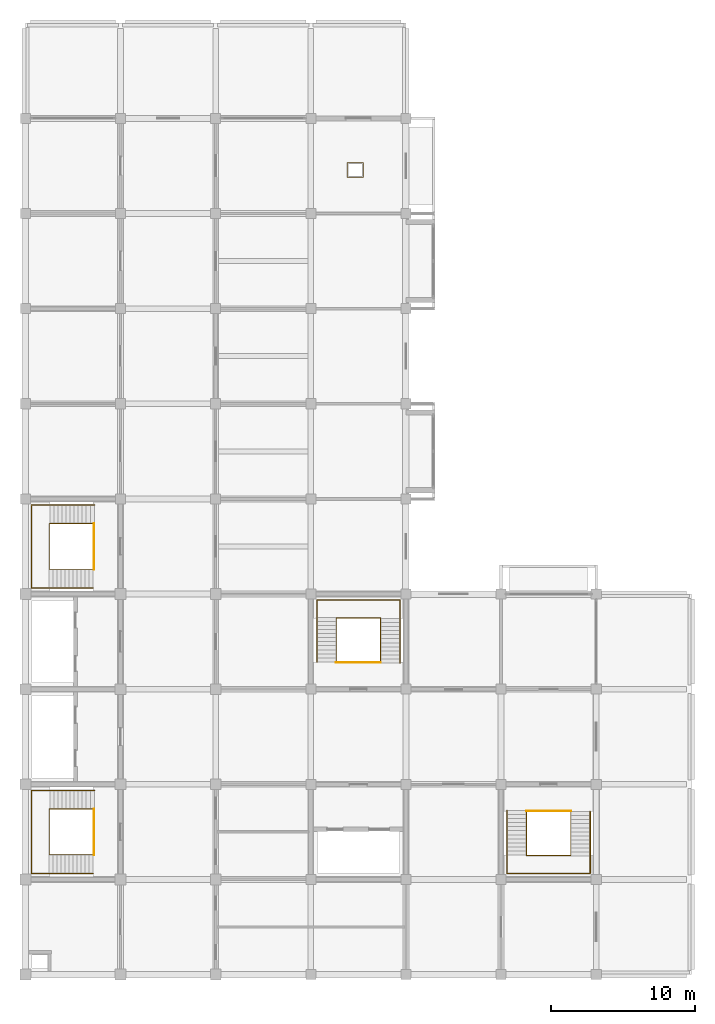
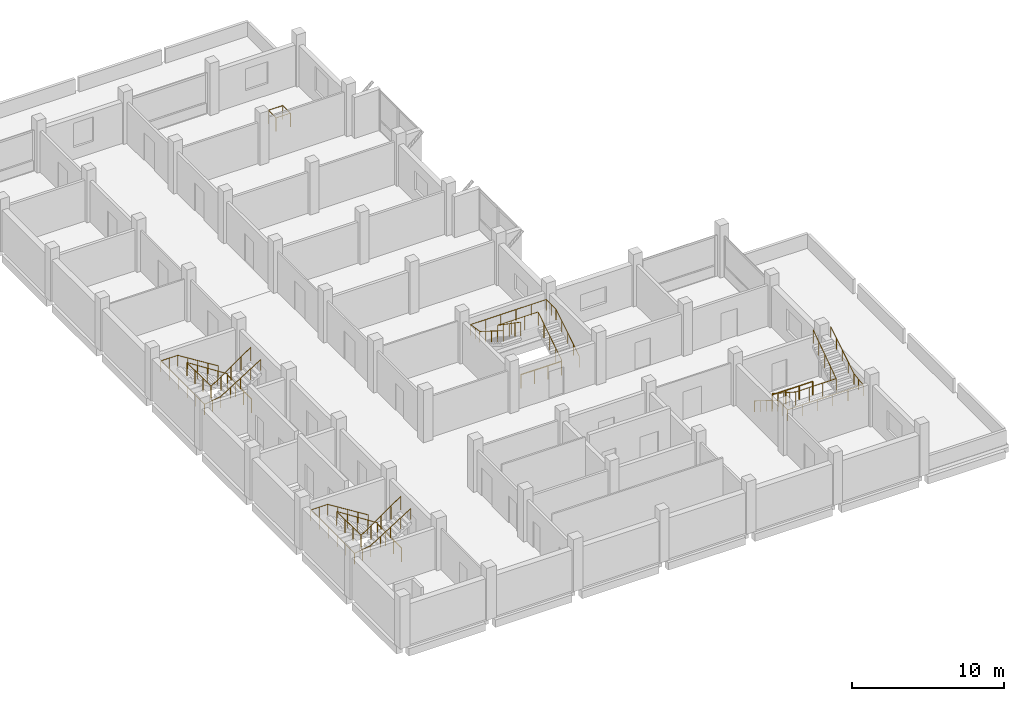
# One storey, part 10 of 10: 13 railings.
"""IFC4 building model written with IfcOpenShell, lengths in metres."""

from ifc_helpers import new_model, si_unit, direction, frame, origin, origin_2d, place, context, subcontext, project, spatial, circle, extrude, material, type_object, element, save


model = new_model("IFC4")

# Units and contexts
model_context = context("Model", 3, precision=1e-05, world=origin(), true_north=direction((0.0, 1.0)))
body_context = subcontext(model_context, "Body", "Model", "MODEL_VIEW")
ifc_project = project(units=[si_unit("LENGTHUNIT", "METRE"), si_unit("AREAUNIT", "SQUARE_METRE"), si_unit("VOLUMEUNIT", "CUBIC_METRE"), si_unit("PLANEANGLEUNIT", "RADIAN"), si_unit("MASSUNIT", "GRAM", prefix="KILO")], contexts=[model_context])

# Site, building, storey
site_placement = place(None, origin())
site = spatial("IfcSite", under=ifc_project, at=site_placement, CompositionType="ELEMENT")
building_placement = place(site_placement, origin())
building = spatial("IfcBuilding", under=site, at=building_placement, Name="Rusizi Kubbe Research Institute", CompositionType="ELEMENT")
storey_placement = place(building_placement, frame((0.0, 0.0, 43.800048828125)))
storey = spatial("IfcBuildingStorey", under=building, at=storey_placement, Name="L10", CompositionType="ELEMENT", Elevation=43.800048828125)

# Railings
ifc_material_1 = material(Name="Painted Steel Stair Guard", Category="steel")
railing_type_1 = type_object("IfcRailingType", Name="GR-STAIR", PredefinedType="GUARDRAIL", material=ifc_material_1)
railing_1_placement = place(storey_placement, frame((4.780029296875, 11.489990234375, 0.08740234375)))
element("IfcRailing", 1, at=railing_1_placement, inside=storey, type_object=railing_type_1, Name="Stair Inner Well Guard ST1 L10", PredefinedType="GUARDRAIL", context=body_context, shape_type="SweptSolid", body=[
    extrude(circle(Radius=0.02392578125, at=origin_2d()), frame((0.0, 0.0, 1.09619140625), z_axis=(-0.840361383606, 0.0, 0.542026516828), x_axis=(0.0, -1.0, 0.0)), (0.0, 0.0, 1.0), 3.712890625),
    extrude(circle(Radius=0.02392578125, at=origin_2d()), frame((-3.1201171875, 0.0, 3.1083984375), z_axis=(0.0, -1.0, 0.0), x_axis=(1.0, 0.0, 0.0)), (0.0, 0.0, 1.0), 3.179931640625),
    extrude(circle(Radius=0.02392578125, at=origin_2d()), frame((-3.1201171875, -3.179931640625, 3.1083984375), z_axis=(0.82276741766, 0.0, 0.568378198419), x_axis=(0.0, 1.0, 0.0)), (0.0, 0.0, 1.0), 3.69482421875),
    extrude(circle(Radius=0.02099609375, at=origin_2d()), origin(), (0.0, 0.0, 1.0), 1.072021484375),
    extrude(circle(Radius=0.02099609375, at=origin_2d()), frame((-0.780029296875, 0.0, 0.503173828125)), (0.0, 0.0, 1.0), 1.072021484375),
    extrude(circle(Radius=0.02099609375, at=origin_2d()), frame((-1.56005859375, 0.0, 1.00634765625)), (0.0, 0.0, 1.0), 1.072021484375),
    extrude(circle(Radius=0.02099609375, at=origin_2d()), frame((-2.340087890625, 0.0, 1.50927734375)), (0.0, 0.0, 1.0), 1.072021484375),
    extrude(circle(Radius=0.02099609375, at=origin_2d()), frame((-3.1201171875, 0.0, 2.012451171875)), (0.0, 0.0, 1.0), 1.072021484375),
    extrude(circle(Radius=0.02099609375, at=origin_2d()), frame((-3.1201171875, -1.06005859375, 2.012451171875)), (0.0, 0.0, 1.0), 1.072021484375),
    extrude(circle(Radius=0.02099609375, at=origin_2d()), frame((-3.1201171875, -2.119873046875, 2.012451171875)), (0.0, 0.0, 1.0), 1.072021484375),
    extrude(circle(Radius=0.02099609375, at=origin_2d()), frame((-3.1201171875, -3.179931640625, 2.012451171875)), (0.0, 0.0, 1.0), 1.072021484375),
    extrude(circle(Radius=0.02099609375, at=origin_2d()), frame((-2.360107421875, -3.179931640625, 2.53759765625)), (0.0, 0.0, 1.0), 1.072021484375),
    extrude(circle(Radius=0.02099609375, at=origin_2d()), frame((-1.60009765625, -3.179931640625, 3.0625)), (0.0, 0.0, 1.0), 1.072021484375),
    extrude(circle(Radius=0.02099609375, at=origin_2d()), frame((-0.840087890625, -3.179931640625, 3.58740234375)), (0.0, 0.0, 1.0), 1.072021484375),
    extrude(circle(Radius=0.02099609375, at=origin_2d()), frame((-0.080078125, -3.179931640625, 4.112548828125)), (0.0, 0.0, 1.0), 1.072021484375),
])
railing_2_placement = place(storey_placement, frame((4.75, 11.489990234375, 0.0)))
element("IfcRailing", 2, at=railing_2_placement, inside=storey, type_object=railing_type_1, Name="Stair Floor Edge Guard ST1 L10", PredefinedType="GUARDRAIL", context=body_context, shape_type="SweptSolid", body=[
    extrude(circle(Radius=0.02392578125, at=origin_2d()), frame((0.0, 0.0, 1.09619140625), z_axis=(0.0, -1.0, 0.0), x_axis=(1.0, 0.0, 0.0)), (0.0, 0.0, 1.0), 3.179931640625),
    extrude(circle(Radius=0.02099609375, at=origin_2d()), origin(), (0.0, 0.0, 1.0), 1.072021484375),
    extrude(circle(Radius=0.02099609375, at=origin_2d()), frame((0.0, -1.06005859375, 0.0)), (0.0, 0.0, 1.0), 1.072021484375),
    extrude(circle(Radius=0.02099609375, at=origin_2d()), frame((0.0, -2.119873046875, 0.0)), (0.0, 0.0, 1.0), 1.072021484375),
    extrude(circle(Radius=0.02099609375, at=origin_2d()), frame((0.0, -3.179931640625, 0.0)), (0.0, 0.0, 1.0), 1.072021484375),
])
railing_3_placement = place(storey_placement, frame((4.780029296875, 31.2900390625, 0.08740234375)))
element("IfcRailing", 3, at=railing_3_placement, inside=storey, type_object=railing_type_1, Name="Stair Inner Well Guard ST2 L10", PredefinedType="GUARDRAIL", context=body_context, shape_type="SweptSolid", body=[
    extrude(circle(Radius=0.02392578125, at=origin_2d()), frame((0.0, 0.0, 1.09619140625), z_axis=(-0.840361383606, 0.0, 0.542026516828), x_axis=(0.0, -1.0, 0.0)), (0.0, 0.0, 1.0), 3.712890625),
    extrude(circle(Radius=0.02392578125, at=origin_2d()), frame((-3.1201171875, 0.0, 3.1083984375), z_axis=(0.0, -1.0, 0.0), x_axis=(1.0, 0.0, 0.0)), (0.0, 0.0, 1.0), 3.179931640625),
    extrude(circle(Radius=0.02392578125, at=origin_2d()), frame((-3.1201171875, -3.179931640625, 3.1083984375), z_axis=(0.82276741766, 0.0, 0.568378198419), x_axis=(0.0, 1.0, 0.0)), (0.0, 0.0, 1.0), 3.69482421875),
    extrude(circle(Radius=0.02099609375, at=origin_2d()), origin(), (0.0, 0.0, 1.0), 1.072021484375),
    extrude(circle(Radius=0.02099609375, at=origin_2d()), frame((-0.780029296875, 0.0, 0.503173828125)), (0.0, 0.0, 1.0), 1.072021484375),
    extrude(circle(Radius=0.02099609375, at=origin_2d()), frame((-1.56005859375, 0.0, 1.00634765625)), (0.0, 0.0, 1.0), 1.072021484375),
    extrude(circle(Radius=0.02099609375, at=origin_2d()), frame((-2.340087890625, 0.0, 1.50927734375)), (0.0, 0.0, 1.0), 1.072021484375),
    extrude(circle(Radius=0.02099609375, at=origin_2d()), frame((-3.1201171875, 0.0, 2.012451171875)), (0.0, 0.0, 1.0), 1.072021484375),
    extrude(circle(Radius=0.02099609375, at=origin_2d()), frame((-3.1201171875, -1.06005859375, 2.012451171875)), (0.0, 0.0, 1.0), 1.072021484375),
    extrude(circle(Radius=0.02099609375, at=origin_2d()), frame((-3.1201171875, -2.119873046875, 2.012451171875)), (0.0, 0.0, 1.0), 1.072021484375),
    extrude(circle(Radius=0.02099609375, at=origin_2d()), frame((-3.1201171875, -3.179931640625, 2.012451171875)), (0.0, 0.0, 1.0), 1.072021484375),
    extrude(circle(Radius=0.02099609375, at=origin_2d()), frame((-2.360107421875, -3.179931640625, 2.53759765625)), (0.0, 0.0, 1.0), 1.072021484375),
    extrude(circle(Radius=0.02099609375, at=origin_2d()), frame((-1.60009765625, -3.179931640625, 3.0625)), (0.0, 0.0, 1.0), 1.072021484375),
    extrude(circle(Radius=0.02099609375, at=origin_2d()), frame((-0.840087890625, -3.179931640625, 3.58740234375)), (0.0, 0.0, 1.0), 1.072021484375),
    extrude(circle(Radius=0.02099609375, at=origin_2d()), frame((-0.080078125, -3.179931640625, 4.112548828125)), (0.0, 0.0, 1.0), 1.072021484375),
])
railing_4_placement = place(storey_placement, frame((4.75, 31.2900390625, 0.0)))
element("IfcRailing", 4, at=railing_4_placement, inside=storey, type_object=railing_type_1, Name="Stair Floor Edge Guard ST2 L10", PredefinedType="GUARDRAIL", context=body_context, shape_type="SweptSolid", body=[
    extrude(circle(Radius=0.02392578125, at=origin_2d()), frame((0.0, 0.0, 1.09619140625), z_axis=(0.0, -1.0, 0.0), x_axis=(1.0, 0.0, 0.0)), (0.0, 0.0, 1.0), 3.179931640625),
    extrude(circle(Radius=0.02099609375, at=origin_2d()), origin(), (0.0, 0.0, 1.0), 1.072021484375),
    extrude(circle(Radius=0.02099609375, at=origin_2d()), frame((0.0, -1.06005859375, 0.0)), (0.0, 0.0, 1.0), 1.072021484375),
    extrude(circle(Radius=0.02099609375, at=origin_2d()), frame((0.0, -2.119873046875, 0.0)), (0.0, 0.0, 1.0), 1.072021484375),
    extrude(circle(Radius=0.02099609375, at=origin_2d()), frame((0.0, -3.179931640625, 0.0)), (0.0, 0.0, 1.0), 1.072021484375),
])
railing_5_placement = place(storey_placement, frame((24.639892578125, 21.6201171875, 0.08740234375)))
element("IfcRailing", 5, at=railing_5_placement, inside=storey, type_object=railing_type_1, Name="Stair Inner Well Guard ST3 L10", PredefinedType="GUARDRAIL", context=body_context, shape_type="SweptSolid", body=[
    extrude(circle(Radius=0.02392578125, at=origin_2d()), frame((0.0, 0.0, 1.09619140625), z_axis=(0.0, 0.840342063375, 0.542056469865), x_axis=(-1.0, 0.0, 0.0)), (0.0, 0.0, 1.0), 3.712646484375),
    extrude(circle(Radius=0.02392578125, at=origin_2d()), frame((0.0, 3.119873046875, 3.1083984375), z_axis=(-1.0, 0.0, 0.0), x_axis=(0.0, -1.0, 0.0)), (0.0, 0.0, 1.0), 3.079833984375),
    extrude(circle(Radius=0.02392578125, at=origin_2d()), frame((-3.079833984375, 3.119873046875, 3.1083984375), z_axis=(0.0, -0.82276741766, 0.568378198419), x_axis=(1.0, 0.0, 0.0)), (0.0, 0.0, 1.0), 3.69482421875),
    extrude(circle(Radius=0.02099609375, at=origin_2d()), origin(), (0.0, 0.0, 1.0), 1.072021484375),
    extrude(circle(Radius=0.02099609375, at=origin_2d()), frame((0.0, 0.780029296875, 0.503173828125)), (0.0, 0.0, 1.0), 1.072021484375),
    extrude(circle(Radius=0.02099609375, at=origin_2d()), frame((0.0, 1.56005859375, 1.00634765625)), (0.0, 0.0, 1.0), 1.072021484375),
    extrude(circle(Radius=0.02099609375, at=origin_2d()), frame((0.0, 2.33984375, 1.50927734375)), (0.0, 0.0, 1.0), 1.072021484375),
    extrude(circle(Radius=0.02099609375, at=origin_2d()), frame((0.0, 3.119873046875, 2.012451171875)), (0.0, 0.0, 1.0), 1.072021484375),
    extrude(circle(Radius=0.02099609375, at=origin_2d()), frame((-1.026611328125, 3.119873046875, 2.012451171875)), (0.0, 0.0, 1.0), 1.072021484375),
    extrude(circle(Radius=0.02099609375, at=origin_2d()), frame((-2.05322265625, 3.119873046875, 2.012451171875)), (0.0, 0.0, 1.0), 1.072021484375),
    extrude(circle(Radius=0.02099609375, at=origin_2d()), frame((-3.079833984375, 3.119873046875, 2.012451171875)), (0.0, 0.0, 1.0), 1.072021484375),
    extrude(circle(Radius=0.02099609375, at=origin_2d()), frame((-3.079833984375, 2.35986328125, 2.53759765625)), (0.0, 0.0, 1.0), 1.072021484375),
    extrude(circle(Radius=0.02099609375, at=origin_2d()), frame((-3.079833984375, 1.599853515625, 3.0625)), (0.0, 0.0, 1.0), 1.072021484375),
    extrude(circle(Radius=0.02099609375, at=origin_2d()), frame((-3.079833984375, 0.83984375, 3.58740234375)), (0.0, 0.0, 1.0), 1.072021484375),
    extrude(circle(Radius=0.02099609375, at=origin_2d()), frame((-3.079833984375, 0.079833984375, 4.112548828125)), (0.0, 0.0, 1.0), 1.072021484375),
])
railing_6_placement = place(storey_placement, frame((24.639892578125, 21.64990234375, 0.0)))
element("IfcRailing", 6, at=railing_6_placement, inside=storey, type_object=railing_type_1, Name="Stair Floor Edge Guard ST3 L10", PredefinedType="GUARDRAIL", context=body_context, shape_type="SweptSolid", body=[
    extrude(circle(Radius=0.02392578125, at=origin_2d()), frame((0.0, 0.0, 1.09619140625), z_axis=(-1.0, 0.0, 0.0), x_axis=(0.0, -1.0, 0.0)), (0.0, 0.0, 1.0), 3.079833984375),
    extrude(circle(Radius=0.02099609375, at=origin_2d()), origin(), (0.0, 0.0, 1.0), 1.072021484375),
    extrude(circle(Radius=0.02099609375, at=origin_2d()), frame((-1.026611328125, 0.0, 0.0)), (0.0, 0.0, 1.0), 1.072021484375),
    extrude(circle(Radius=0.02099609375, at=origin_2d()), frame((-2.05322265625, 0.0, 0.0)), (0.0, 0.0, 1.0), 1.072021484375),
    extrude(circle(Radius=0.02099609375, at=origin_2d()), frame((-3.079833984375, 0.0, 0.0)), (0.0, 0.0, 1.0), 1.072021484375),
])
railing_7_placement = place(storey_placement, frame((34.760009765625, 11.3798828125, 0.08740234375)))
element("IfcRailing", 7, at=railing_7_placement, inside=storey, type_object=railing_type_1, Name="Stair Inner Well Guard ST4 L10", PredefinedType="GUARDRAIL", context=body_context, shape_type="SweptSolid", body=[
    extrude(circle(Radius=0.02392578125, at=origin_2d()), frame((0.0, 0.0, 1.09619140625), z_axis=(0.0, -0.840342063375, 0.542056469865), x_axis=(1.0, 0.0, 0.0)), (0.0, 0.0, 1.0), 3.712646484375),
    extrude(circle(Radius=0.02392578125, at=origin_2d()), frame((0.0, -3.119873046875, 3.1083984375), z_axis=(1.0, 0.0, 0.0), x_axis=(0.0, 1.0, 0.0)), (0.0, 0.0, 1.0), 3.080078125),
    extrude(circle(Radius=0.02392578125, at=origin_2d()), frame((3.080078125, -3.119873046875, 3.1083984375), z_axis=(0.0, 0.82276741766, 0.568378198419), x_axis=(-1.0, 0.0, 0.0)), (0.0, 0.0, 1.0), 3.69482421875),
    extrude(circle(Radius=0.02099609375, at=origin_2d()), origin(), (0.0, 0.0, 1.0), 1.072021484375),
    extrude(circle(Radius=0.02099609375, at=origin_2d()), frame((0.0, -0.780029296875, 0.503173828125)), (0.0, 0.0, 1.0), 1.072021484375),
    extrude(circle(Radius=0.02099609375, at=origin_2d()), frame((0.0, -1.56005859375, 1.00634765625)), (0.0, 0.0, 1.0), 1.072021484375),
    extrude(circle(Radius=0.02099609375, at=origin_2d()), frame((0.0, -2.33984375, 1.50927734375)), (0.0, 0.0, 1.0), 1.072021484375),
    extrude(circle(Radius=0.02099609375, at=origin_2d()), frame((0.0, -3.119873046875, 2.012451171875)), (0.0, 0.0, 1.0), 1.072021484375),
    extrude(circle(Radius=0.02099609375, at=origin_2d()), frame((1.026611328125, -3.119873046875, 2.012451171875)), (0.0, 0.0, 1.0), 1.072021484375),
    extrude(circle(Radius=0.02099609375, at=origin_2d()), frame((2.053466796875, -3.119873046875, 2.012451171875)), (0.0, 0.0, 1.0), 1.072021484375),
    extrude(circle(Radius=0.02099609375, at=origin_2d()), frame((3.080078125, -3.119873046875, 2.012451171875)), (0.0, 0.0, 1.0), 1.072021484375),
    extrude(circle(Radius=0.02099609375, at=origin_2d()), frame((3.080078125, -2.35986328125, 2.53759765625)), (0.0, 0.0, 1.0), 1.072021484375),
    extrude(circle(Radius=0.02099609375, at=origin_2d()), frame((3.080078125, -1.599853515625, 3.0625)), (0.0, 0.0, 1.0), 1.072021484375),
    extrude(circle(Radius=0.02099609375, at=origin_2d()), frame((3.080078125, -0.83984375, 3.58740234375)), (0.0, 0.0, 1.0), 1.072021484375),
    extrude(circle(Radius=0.02099609375, at=origin_2d()), frame((3.080078125, -0.079833984375, 4.112548828125)), (0.0, 0.0, 1.0), 1.072021484375),
])
railing_8_placement = place(storey_placement, frame((34.760009765625, 11.35009765625, 0.0)))
element("IfcRailing", 8, at=railing_8_placement, inside=storey, type_object=railing_type_1, Name="Stair Floor Edge Guard ST4 L10", PredefinedType="GUARDRAIL", context=body_context, shape_type="SweptSolid", body=[
    extrude(circle(Radius=0.02392578125, at=origin_2d()), frame((0.0, 0.0, 1.09619140625), z_axis=(1.0, 0.0, 0.0), x_axis=(0.0, 1.0, 0.0)), (0.0, 0.0, 1.0), 3.080078125),
    extrude(circle(Radius=0.02099609375, at=origin_2d()), origin(), (0.0, 0.0, 1.0), 1.072021484375),
    extrude(circle(Radius=0.02099609375, at=origin_2d()), frame((1.026611328125, 0.0, 0.0)), (0.0, 0.0, 1.0), 1.072021484375),
    extrude(circle(Radius=0.02099609375, at=origin_2d()), frame((2.053466796875, 0.0, 0.0)), (0.0, 0.0, 1.0), 1.072021484375),
    extrude(circle(Radius=0.02099609375, at=origin_2d()), frame((3.080078125, 0.0, 0.0)), (0.0, 0.0, 1.0), 1.072021484375),
])
railing_9_placement = place(storey_placement, frame((22.320068359375, 55.320068359375, 0.0)))
element("IfcRailing", 9, at=railing_9_placement, inside=storey, type_object=railing_type_1, Name="Service Riser Guard L10 NORTHA", PredefinedType="GUARDRAIL", context=body_context, shape_type="SweptSolid", body=[
    extrude(circle(Radius=0.02392578125, at=origin_2d()), frame((0.0, 0.0, 1.09619140625), z_axis=(1.0, 0.0, 0.0), x_axis=(0.0, 1.0, 0.0)), (0.0, 0.0, 1.0), 1.10986328125),
    extrude(circle(Radius=0.02392578125, at=origin_2d()), frame((1.10986328125, 0.0, 1.09619140625), z_axis=(0.0, 1.0, 0.0), x_axis=(-1.0, 0.0, 0.0)), (0.0, 0.0, 1.0), 1.010009765625),
    extrude(circle(Radius=0.02392578125, at=origin_2d()), frame((1.10986328125, 1.010009765625, 1.09619140625), z_axis=(-1.0, 0.0, 0.0), x_axis=(0.0, -1.0, 0.0)), (0.0, 0.0, 1.0), 1.10986328125),
    extrude(circle(Radius=0.02392578125, at=origin_2d()), frame((0.0, 1.010009765625, 1.09619140625), z_axis=(0.0, -1.0, 0.0), x_axis=(1.0, 0.0, 0.0)), (0.0, 0.0, 1.0), 1.010009765625),
    extrude(circle(Radius=0.02099609375, at=origin_2d()), origin(), (0.0, 0.0, 1.0), 1.072021484375),
    extrude(circle(Radius=0.02099609375, at=origin_2d()), frame((1.10986328125, 0.0, 0.0)), (0.0, 0.0, 1.0), 1.072021484375),
    extrude(circle(Radius=0.02099609375, at=origin_2d()), frame((1.10986328125, 1.010009765625, 0.0)), (0.0, 0.0, 1.0), 1.072021484375),
    extrude(circle(Radius=0.02099609375, at=origin_2d()), frame((0.0, 1.010009765625, 0.0)), (0.0, 0.0, 1.0), 1.072021484375),
])
ifc_material_2 = material(Name="Brushed Stainless Steel Handrail", Category="steel")
railing_type_2 = type_object("IfcRailingType", Name="HR-STAIR", PredefinedType="HANDRAIL", material=ifc_material_2)
railing_10_placement = place(storey_placement, frame((4.780029296875, 12.780029296875, 0.175048828125)))
element("IfcRailing", 10, at=railing_10_placement, inside=storey, type_object=railing_type_2, Name="Stair Wall Handrail ST1 L10", PredefinedType="HANDRAIL", context=body_context, shape_type="SweptSolid", body=[
    extrude(circle(Radius=0.02392578125, at=origin_2d()), frame((0.0, 0.0, 0.8759765625), z_axis=(-0.848028513186, 0.0, 0.529950602248), x_axis=(0.0, -1.0, 0.0)), (0.0, 0.0, 1.0), 3.632080078125),
    extrude(circle(Radius=0.02392578125, at=origin_2d()), frame((-3.080078125, 0.0, 2.80078125), z_axis=(-1.0, 0.0, 0.0), x_axis=(0.0, -1.0, 0.0)), (0.0, 0.0, 1.0), 1.280029296875),
    extrude(circle(Radius=0.02392578125, at=origin_2d()), frame((-4.360107421875, 0.0, 2.80078125), z_axis=(0.0, -1.0, 0.0), x_axis=(1.0, 0.0, 0.0)), (0.0, 0.0, 1.0), 5.760009765625),
    extrude(circle(Radius=0.02392578125, at=origin_2d()), frame((-4.360107421875, -5.760009765625, 2.80078125), z_axis=(0.989630492691, 0.0, 0.143636652482), x_axis=(0.0, 1.0, 0.0)), (0.0, 0.0, 1.0), 1.21875),
    extrude(circle(Radius=0.02392578125, at=origin_2d()), frame((-3.154052734375, -5.760009765625, 2.9755859375), z_axis=(0.847525270172, 0.0, 0.530755043706), x_axis=(0.0, 1.0, 0.0)), (0.0, 0.0, 1.0), 3.626953125),
    extrude(circle(Radius=0.02099609375, at=origin_2d()), origin(), (0.0, 0.0, 1.0), 0.851806640625),
    extrude(circle(Radius=0.02099609375, at=origin_2d()), frame((-0.77001953125, 0.0, 0.481201171875)), (0.0, 0.0, 1.0), 0.851806640625),
    extrude(circle(Radius=0.02099609375, at=origin_2d()), frame((-1.5400390625, 0.0, 0.96240234375)), (0.0, 0.0, 1.0), 0.851806640625),
    extrude(circle(Radius=0.02099609375, at=origin_2d()), frame((-2.31005859375, 0.0, 1.443603515625)), (0.0, 0.0, 1.0), 0.851806640625),
    extrude(circle(Radius=0.02099609375, at=origin_2d()), frame((-3.080078125, 0.0, 1.9248046875)), (0.0, 0.0, 1.0), 0.851806640625),
    extrude(circle(Radius=0.02099609375, at=origin_2d()), frame((-3.72021484375, 0.0, 1.9248046875)), (0.0, 0.0, 1.0), 0.851806640625),
    extrude(circle(Radius=0.02099609375, at=origin_2d()), frame((-4.360107421875, 0.0, 1.9248046875)), (0.0, 0.0, 1.0), 0.851806640625),
    extrude(circle(Radius=0.02099609375, at=origin_2d()), frame((-4.360107421875, -1.152099609375, 1.9248046875)), (0.0, 0.0, 1.0), 0.851806640625),
    extrude(circle(Radius=0.02099609375, at=origin_2d()), frame((-4.360107421875, -2.303955078125, 1.9248046875)), (0.0, 0.0, 1.0), 0.851806640625),
    extrude(circle(Radius=0.02099609375, at=origin_2d()), frame((-4.360107421875, -3.4560546875, 1.9248046875)), (0.0, 0.0, 1.0), 0.851806640625),
    extrude(circle(Radius=0.02099609375, at=origin_2d()), frame((-4.360107421875, -4.60791015625, 1.9248046875)), (0.0, 0.0, 1.0), 0.851806640625),
    extrude(circle(Radius=0.02099609375, at=origin_2d()), frame((-4.360107421875, -5.760009765625, 1.9248046875)), (0.0, 0.0, 1.0), 0.851806640625),
    extrude(circle(Radius=0.02099609375, at=origin_2d()), frame((-3.757080078125, -5.760009765625, 2.01220703125)), (0.0, 0.0, 1.0), 0.851806640625),
    extrude(circle(Radius=0.02099609375, at=origin_2d()), frame((-3.154052734375, -5.760009765625, 2.099853515625)), (0.0, 0.0, 1.0), 0.851806640625),
    extrude(circle(Radius=0.02099609375, at=origin_2d()), frame((-2.385498046875, -5.760009765625, 2.5810546875)), (0.0, 0.0, 1.0), 0.851806640625),
    extrude(circle(Radius=0.02099609375, at=origin_2d()), frame((-1.6171875, -5.760009765625, 3.0625)), (0.0, 0.0, 1.0), 0.851806640625),
    extrude(circle(Radius=0.02099609375, at=origin_2d()), frame((-0.8486328125, -5.760009765625, 3.543701171875)), (0.0, 0.0, 1.0), 0.851806640625),
    extrude(circle(Radius=0.02099609375, at=origin_2d()), frame((-0.080078125, -5.760009765625, 4.02490234375)), (0.0, 0.0, 1.0), 0.851806640625),
])
railing_11_placement = place(storey_placement, frame((4.780029296875, 32.580078125, 0.175048828125)))
element("IfcRailing", 11, at=railing_11_placement, inside=storey, type_object=railing_type_2, Name="Stair Wall Handrail ST2 L10", PredefinedType="HANDRAIL", context=body_context, shape_type="SweptSolid", body=[
    extrude(circle(Radius=0.02392578125, at=origin_2d()), frame((0.0, 0.0, 0.8759765625), z_axis=(-0.848028513186, 0.0, 0.529950602248), x_axis=(0.0, -1.0, 0.0)), (0.0, 0.0, 1.0), 3.632080078125),
    extrude(circle(Radius=0.02392578125, at=origin_2d()), frame((-3.080078125, 0.0, 2.80078125), z_axis=(-1.0, 0.0, 0.0), x_axis=(0.0, -1.0, 0.0)), (0.0, 0.0, 1.0), 1.280029296875),
    extrude(circle(Radius=0.02392578125, at=origin_2d()), frame((-4.360107421875, 0.0, 2.80078125), z_axis=(0.0, -1.0, 0.0), x_axis=(1.0, 0.0, 0.0)), (0.0, 0.0, 1.0), 5.760009765625),
    extrude(circle(Radius=0.02392578125, at=origin_2d()), frame((-4.360107421875, -5.760009765625, 2.80078125), z_axis=(0.989630492691, 0.0, 0.143636652482), x_axis=(0.0, 1.0, 0.0)), (0.0, 0.0, 1.0), 1.21875),
    extrude(circle(Radius=0.02392578125, at=origin_2d()), frame((-3.154052734375, -5.760009765625, 2.9755859375), z_axis=(0.847525270172, 0.0, 0.530755043706), x_axis=(0.0, 1.0, 0.0)), (0.0, 0.0, 1.0), 3.626953125),
    extrude(circle(Radius=0.02099609375, at=origin_2d()), origin(), (0.0, 0.0, 1.0), 0.851806640625),
    extrude(circle(Radius=0.02099609375, at=origin_2d()), frame((-0.77001953125, 0.0, 0.481201171875)), (0.0, 0.0, 1.0), 0.851806640625),
    extrude(circle(Radius=0.02099609375, at=origin_2d()), frame((-1.5400390625, 0.0, 0.96240234375)), (0.0, 0.0, 1.0), 0.851806640625),
    extrude(circle(Radius=0.02099609375, at=origin_2d()), frame((-2.31005859375, 0.0, 1.443603515625)), (0.0, 0.0, 1.0), 0.851806640625),
    extrude(circle(Radius=0.02099609375, at=origin_2d()), frame((-3.080078125, 0.0, 1.9248046875)), (0.0, 0.0, 1.0), 0.851806640625),
    extrude(circle(Radius=0.02099609375, at=origin_2d()), frame((-3.72021484375, 0.0, 1.9248046875)), (0.0, 0.0, 1.0), 0.851806640625),
    extrude(circle(Radius=0.02099609375, at=origin_2d()), frame((-4.360107421875, 0.0, 1.9248046875)), (0.0, 0.0, 1.0), 0.851806640625),
    extrude(circle(Radius=0.02099609375, at=origin_2d()), frame((-4.360107421875, -1.152099609375, 1.9248046875)), (0.0, 0.0, 1.0), 0.851806640625),
    extrude(circle(Radius=0.02099609375, at=origin_2d()), frame((-4.360107421875, -2.303955078125, 1.9248046875)), (0.0, 0.0, 1.0), 0.851806640625),
    extrude(circle(Radius=0.02099609375, at=origin_2d()), frame((-4.360107421875, -3.4560546875, 1.9248046875)), (0.0, 0.0, 1.0), 0.851806640625),
    extrude(circle(Radius=0.02099609375, at=origin_2d()), frame((-4.360107421875, -4.60791015625, 1.9248046875)), (0.0, 0.0, 1.0), 0.851806640625),
    extrude(circle(Radius=0.02099609375, at=origin_2d()), frame((-4.360107421875, -5.760009765625, 1.9248046875)), (0.0, 0.0, 1.0), 0.851806640625),
    extrude(circle(Radius=0.02099609375, at=origin_2d()), frame((-3.757080078125, -5.760009765625, 2.01220703125)), (0.0, 0.0, 1.0), 0.851806640625),
    extrude(circle(Radius=0.02099609375, at=origin_2d()), frame((-3.154052734375, -5.760009765625, 2.099853515625)), (0.0, 0.0, 1.0), 0.851806640625),
    extrude(circle(Radius=0.02099609375, at=origin_2d()), frame((-2.385498046875, -5.760009765625, 2.5810546875)), (0.0, 0.0, 1.0), 0.851806640625),
    extrude(circle(Radius=0.02099609375, at=origin_2d()), frame((-1.6171875, -5.760009765625, 3.0625)), (0.0, 0.0, 1.0), 0.851806640625),
    extrude(circle(Radius=0.02099609375, at=origin_2d()), frame((-0.8486328125, -5.760009765625, 3.543701171875)), (0.0, 0.0, 1.0), 0.851806640625),
    extrude(circle(Radius=0.02099609375, at=origin_2d()), frame((-0.080078125, -5.760009765625, 4.02490234375)), (0.0, 0.0, 1.0), 0.851806640625),
])
railing_12_placement = place(storey_placement, frame((25.97998046875, 21.6201171875, 0.175048828125)))
element("IfcRailing", 12, at=railing_12_placement, inside=storey, type_object=railing_type_2, Name="Stair Wall Handrail ST3 L10", PredefinedType="HANDRAIL", context=body_context, shape_type="SweptSolid", body=[
    extrude(circle(Radius=0.02392578125, at=origin_2d()), frame((0.0, 0.0, 0.8759765625), z_axis=(0.0, 0.848009633417, 0.529980812513), x_axis=(-1.0, 0.0, 0.0)), (0.0, 0.0, 1.0), 3.6318359375),
    extrude(circle(Radius=0.02392578125, at=origin_2d()), frame((0.0, 3.079833984375, 2.80078125), z_axis=(0.0, 1.0, 0.0), x_axis=(-1.0, 0.0, 0.0)), (0.0, 0.0, 1.0), 1.280029296875),
    extrude(circle(Radius=0.02392578125, at=origin_2d()), frame((0.0, 4.35986328125, 2.80078125), z_axis=(-1.0, 0.0, 0.0), x_axis=(0.0, -1.0, 0.0)), (0.0, 0.0, 1.0), 5.760009765625),
    extrude(circle(Radius=0.02392578125, at=origin_2d()), frame((-5.760009765625, 4.35986328125, 2.80078125), z_axis=(0.0, -0.989630492691, 0.143636652482), x_axis=(1.0, 0.0, 0.0)), (0.0, 0.0, 1.0), 1.21875),
    extrude(circle(Radius=0.02392578125, at=origin_2d()), frame((-5.760009765625, 3.15380859375, 2.9755859375), z_axis=(0.0, -0.847525270172, 0.530755043706), x_axis=(1.0, 0.0, 0.0)), (0.0, 0.0, 1.0), 3.626953125),
    extrude(circle(Radius=0.02099609375, at=origin_2d()), origin(), (0.0, 0.0, 1.0), 0.851806640625),
    extrude(circle(Radius=0.02099609375, at=origin_2d()), frame((0.0, 0.77001953125, 0.481201171875)), (0.0, 0.0, 1.0), 0.851806640625),
    extrude(circle(Radius=0.02099609375, at=origin_2d()), frame((0.0, 1.5400390625, 0.96240234375)), (0.0, 0.0, 1.0), 0.851806640625),
    extrude(circle(Radius=0.02099609375, at=origin_2d()), frame((0.0, 2.309814453125, 1.443603515625)), (0.0, 0.0, 1.0), 0.851806640625),
    extrude(circle(Radius=0.02099609375, at=origin_2d()), frame((0.0, 3.079833984375, 1.9248046875)), (0.0, 0.0, 1.0), 0.851806640625),
    extrude(circle(Radius=0.02099609375, at=origin_2d()), frame((0.0, 3.7197265625, 1.9248046875)), (0.0, 0.0, 1.0), 0.851806640625),
    extrude(circle(Radius=0.02099609375, at=origin_2d()), frame((0.0, 4.35986328125, 1.9248046875)), (0.0, 0.0, 1.0), 0.851806640625),
    extrude(circle(Radius=0.02099609375, at=origin_2d()), frame((-1.152099609375, 4.35986328125, 1.9248046875)), (0.0, 0.0, 1.0), 0.851806640625),
    extrude(circle(Radius=0.02099609375, at=origin_2d()), frame((-2.303955078125, 4.35986328125, 1.9248046875)), (0.0, 0.0, 1.0), 0.851806640625),
    extrude(circle(Radius=0.02099609375, at=origin_2d()), frame((-3.4560546875, 4.35986328125, 1.9248046875)), (0.0, 0.0, 1.0), 0.851806640625),
    extrude(circle(Radius=0.02099609375, at=origin_2d()), frame((-4.60791015625, 4.35986328125, 1.9248046875)), (0.0, 0.0, 1.0), 0.851806640625),
    extrude(circle(Radius=0.02099609375, at=origin_2d()), frame((-5.760009765625, 4.35986328125, 1.9248046875)), (0.0, 0.0, 1.0), 0.851806640625),
    extrude(circle(Radius=0.02099609375, at=origin_2d()), frame((-5.760009765625, 3.7568359375, 2.01220703125)), (0.0, 0.0, 1.0), 0.851806640625),
    extrude(circle(Radius=0.02099609375, at=origin_2d()), frame((-5.760009765625, 3.15380859375, 2.099853515625)), (0.0, 0.0, 1.0), 0.851806640625),
    extrude(circle(Radius=0.02099609375, at=origin_2d()), frame((-5.760009765625, 2.38525390625, 2.5810546875)), (0.0, 0.0, 1.0), 0.851806640625),
    extrude(circle(Radius=0.02099609375, at=origin_2d()), frame((-5.760009765625, 1.61669921875, 3.0625)), (0.0, 0.0, 1.0), 0.851806640625),
    extrude(circle(Radius=0.02099609375, at=origin_2d()), frame((-5.760009765625, 0.848388671875, 3.543701171875)), (0.0, 0.0, 1.0), 0.851806640625),
    extrude(circle(Radius=0.02099609375, at=origin_2d()), frame((-5.760009765625, 0.079833984375, 4.02490234375)), (0.0, 0.0, 1.0), 0.851806640625),
])
railing_13_placement = place(storey_placement, frame((33.419921875, 11.3798828125, 0.175048828125)))
element("IfcRailing", 13, at=railing_13_placement, inside=storey, type_object=railing_type_2, Name="Stair Wall Handrail ST4 L10", PredefinedType="HANDRAIL", context=body_context, shape_type="SweptSolid", body=[
    extrude(circle(Radius=0.02392578125, at=origin_2d()), frame((0.0, 0.0, 0.8759765625), z_axis=(0.0, -0.848009633417, 0.529980812513), x_axis=(1.0, 0.0, 0.0)), (0.0, 0.0, 1.0), 3.6318359375),
    extrude(circle(Radius=0.02392578125, at=origin_2d()), frame((0.0, -3.079833984375, 2.80078125), z_axis=(0.0, -1.0, 0.0), x_axis=(1.0, 0.0, 0.0)), (0.0, 0.0, 1.0), 1.280029296875),
    extrude(circle(Radius=0.02392578125, at=origin_2d()), frame((0.0, -4.35986328125, 2.80078125), z_axis=(1.0, 0.0, 0.0), x_axis=(0.0, 1.0, 0.0)), (0.0, 0.0, 1.0), 5.760009765625),
    extrude(circle(Radius=0.02392578125, at=origin_2d()), frame((5.760009765625, -4.35986328125, 2.80078125), z_axis=(0.0, 0.989630492691, 0.143636652482), x_axis=(-1.0, 0.0, 0.0)), (0.0, 0.0, 1.0), 1.21875),
    extrude(circle(Radius=0.02392578125, at=origin_2d()), frame((5.760009765625, -3.15380859375, 2.9755859375), z_axis=(0.0, 0.847525270172, 0.530755043706), x_axis=(-1.0, 0.0, 0.0)), (0.0, 0.0, 1.0), 3.626953125),
    extrude(circle(Radius=0.02099609375, at=origin_2d()), origin(), (0.0, 0.0, 1.0), 0.851806640625),
    extrude(circle(Radius=0.02099609375, at=origin_2d()), frame((0.0, -0.77001953125, 0.481201171875)), (0.0, 0.0, 1.0), 0.851806640625),
    extrude(circle(Radius=0.02099609375, at=origin_2d()), frame((0.0, -1.5400390625, 0.96240234375)), (0.0, 0.0, 1.0), 0.851806640625),
    extrude(circle(Radius=0.02099609375, at=origin_2d()), frame((0.0, -2.309814453125, 1.443603515625)), (0.0, 0.0, 1.0), 0.851806640625),
    extrude(circle(Radius=0.02099609375, at=origin_2d()), frame((0.0, -3.079833984375, 1.9248046875)), (0.0, 0.0, 1.0), 0.851806640625),
    extrude(circle(Radius=0.02099609375, at=origin_2d()), frame((0.0, -3.7197265625, 1.9248046875)), (0.0, 0.0, 1.0), 0.851806640625),
    extrude(circle(Radius=0.02099609375, at=origin_2d()), frame((0.0, -4.35986328125, 1.9248046875)), (0.0, 0.0, 1.0), 0.851806640625),
    extrude(circle(Radius=0.02099609375, at=origin_2d()), frame((1.152099609375, -4.35986328125, 1.9248046875)), (0.0, 0.0, 1.0), 0.851806640625),
    extrude(circle(Radius=0.02099609375, at=origin_2d()), frame((2.303955078125, -4.35986328125, 1.9248046875)), (0.0, 0.0, 1.0), 0.851806640625),
    extrude(circle(Radius=0.02099609375, at=origin_2d()), frame((3.4560546875, -4.35986328125, 1.9248046875)), (0.0, 0.0, 1.0), 0.851806640625),
    extrude(circle(Radius=0.02099609375, at=origin_2d()), frame((4.60791015625, -4.35986328125, 1.9248046875)), (0.0, 0.0, 1.0), 0.851806640625),
    extrude(circle(Radius=0.02099609375, at=origin_2d()), frame((5.760009765625, -4.35986328125, 1.9248046875)), (0.0, 0.0, 1.0), 0.851806640625),
    extrude(circle(Radius=0.02099609375, at=origin_2d()), frame((5.760009765625, -3.7568359375, 2.01220703125)), (0.0, 0.0, 1.0), 0.851806640625),
    extrude(circle(Radius=0.02099609375, at=origin_2d()), frame((5.760009765625, -3.15380859375, 2.099853515625)), (0.0, 0.0, 1.0), 0.851806640625),
    extrude(circle(Radius=0.02099609375, at=origin_2d()), frame((5.760009765625, -2.38525390625, 2.5810546875)), (0.0, 0.0, 1.0), 0.851806640625),
    extrude(circle(Radius=0.02099609375, at=origin_2d()), frame((5.760009765625, -1.61669921875, 3.0625)), (0.0, 0.0, 1.0), 0.851806640625),
    extrude(circle(Radius=0.02099609375, at=origin_2d()), frame((5.760009765625, -0.848388671875, 3.543701171875)), (0.0, 0.0, 1.0), 0.851806640625),
    extrude(circle(Radius=0.02099609375, at=origin_2d()), frame((5.760009765625, -0.079833984375, 4.02490234375)), (0.0, 0.0, 1.0), 0.851806640625),
])

save(model, "model.ifc")
